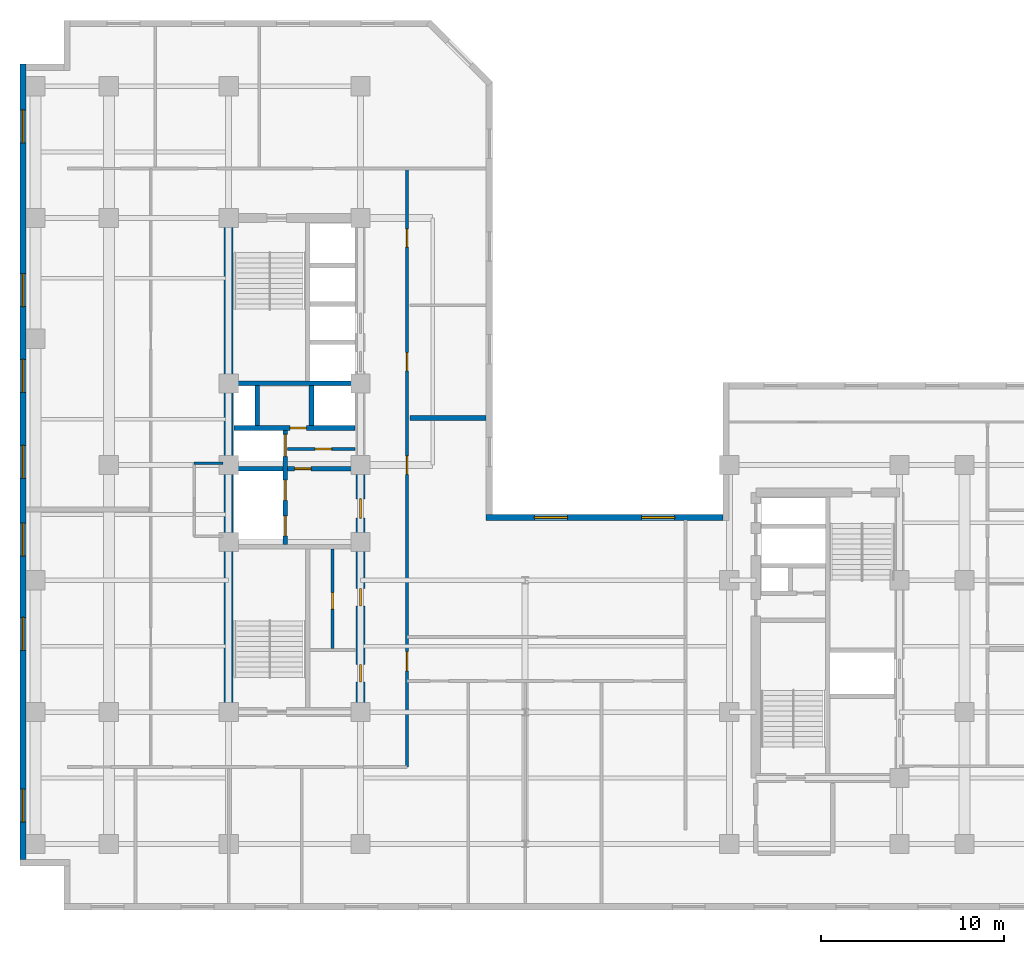
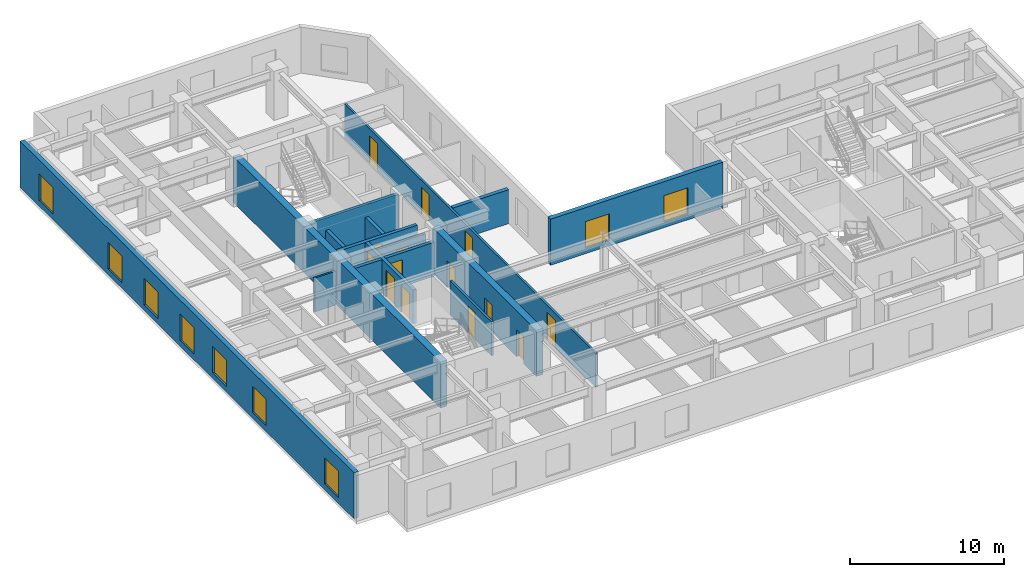
# One storey, part 4 of 10: 15 walls, 14 doors, 9 windows, 23 openings.
"""IFC4 building model written with IfcOpenShell, lengths in metres."""

from ifc_helpers import new_model, entity, si_unit, converted_unit, direction, frame, origin_with_axes, origin_2d_with_axis, place, context, subcontext, project, spatial, polyline, rectangle, outline, extrude, material, layer, layer_set, type_object, element, fill, save


model = new_model("IFC4")

# Units and contexts
model_context = context("Model", 3, precision=1e-05, world=origin_with_axes(), true_north=direction((0.0, 1.0)))
body_context = subcontext(model_context, "Body", "Model", "MODEL_VIEW")
ifc_project = project(units=[si_unit("LENGTHUNIT", "METRE"), si_unit("AREAUNIT", "SQUARE_METRE"), si_unit("VOLUMEUNIT", "CUBIC_METRE"), converted_unit("PLANEANGLEUNIT", "DEGREE", entity("IfcPlaneAngleMeasure", 0.017453292519943295), si_unit("PLANEANGLEUNIT", "RADIAN"), dimensions=[0, 0, 0, 0, 0, 0, 0]), si_unit("MASSUNIT", "GRAM", prefix="KILO"), si_unit("THERMODYNAMICTEMPERATUREUNIT", "KELVIN")], contexts=[model_context])

# Site, building, storey
site_placement = place(None, origin_with_axes())
site = spatial("IfcSite", under=ifc_project, at=site_placement, CompositionType="ELEMENT")
building_placement = place(site_placement, origin_with_axes())
building = spatial("IfcBuilding", under=site, at=building_placement, Name="Varnlund Millrace Tower", CompositionType="ELEMENT")
storey_placement = place(building_placement, frame((0.0, 0.0, 179.7), z_axis=(0.0, 0.0, 1.0), x_axis=(1.0, 0.0, 0.0)))
storey = spatial("IfcBuildingStorey", under=building, at=storey_placement, Name="L44", CompositionType="ELEMENT", Elevation=179.7)

# Wall
ifc_material_1 = material(Name="Concrete C70/85", Category="concrete")
ifc_layer_1 = layer(ifc_material_1, 0.5, Name="Concrete C70/85")
ifc_layer_set_1 = layer_set([ifc_layer_1], Name="Concrete C70/85")
wall_type_1 = type_object("IfcWallType", Name="Type-CoreWall-Shear-500-C70", PredefinedType="SHEAR", material=ifc_layer_set_1)
wall_1_placement = place(storey_placement, frame((11.4, 10.8, 0.0), z_axis=(0.0, 0.0, 1.0), x_axis=(0.0, 1.0, 0.0)))
element("IfcWall", 1, at=wall_1_placement, inside=storey, type_object=wall_type_1, Name="Type-CoreWall-Shear-500-C70", PredefinedType="SHEAR", context=body_context, shape_type="SweptSolid", body=[
    extrude(outline(polyline([(0.0, -0.25), (27.0, -0.25), (27.0, 0.25), (0.0, 0.25), (0.0, -0.25)])), origin_with_axes(), (0.0, 0.0, 1.0), 3.66),
])

# Wall, openings, doors
wall_2_placement = place(storey_placement, frame((18.6, 10.8, 0.0), z_axis=(0.0, 0.0, 1.0), x_axis=(0.0, 1.0, 0.0)))
wall_2 = element("IfcWall", 2, at=wall_2_placement, inside=storey, type_object=wall_type_1, Name="Type-CoreWall-Shear-500-C70", PredefinedType="SHEAR", context=body_context, shape_type="SweptSolid", body=[
    extrude(outline(polyline([(0.0, -0.25), (13.5, -0.25), (13.5, 0.25), (0.0, 0.25), (0.0, -0.25)])), origin_with_axes(), (0.0, 0.0, 1.0), 3.66),
])
opening_1_placement = place(wall_2_placement, frame((11.125, 0.0, 0.0), z_axis=(0.0, 0.0, 1.0), x_axis=(1.0, 0.0, 0.0)))
opening_1 = element("IfcOpeningElement", 3, at=opening_1_placement, cuts=wall_2, Name="Opening L44:DR-FFLOB-A", PredefinedType="OPENING", context=body_context, shape_type="SweptSolid", body=[
    extrude(rectangle(XDim=1.05, YDim=0.52, at=origin_2d_with_axis()), origin_with_axes(), (0.0, 0.0, 1.0), 2.15),
])
opening_2_placement = place(wall_2_placement, frame((2.125, 0.0, 0.0), z_axis=(0.0, 0.0, 1.0), x_axis=(1.0, 0.0, 0.0)))
opening_2 = element("IfcOpeningElement", 4, at=opening_2_placement, cuts=wall_2, Name="Opening L44:DR-RECL-A1-1", PredefinedType="OPENING", context=body_context, shape_type="SweptSolid", body=[
    extrude(rectangle(XDim=0.95, YDim=0.52, at=origin_2d_with_axis()), origin_with_axes(), (0.0, 0.0, 1.0), 2.15),
])
opening_3_placement = place(wall_2_placement, frame((6.275, 0.0, 0.0), z_axis=(0.0, 0.0, 1.0), x_axis=(1.0, 0.0, 0.0)))
opening_3 = element("IfcOpeningElement", 5, at=opening_3_placement, cuts=wall_2, Name="Opening L44:DR-RECL-A1-3", PredefinedType="OPENING", context=body_context, shape_type="SweptSolid", body=[
    extrude(rectangle(XDim=0.95, YDim=0.52, at=origin_2d_with_axis()), origin_with_axes(), (0.0, 0.0, 1.0), 2.15),
])
ifc_material_2 = material(Name="Smoke-barrier hollow steel fire door", Category="steel")
door_type_1 = type_object("IfcDoorType", Name="Type-FireDoor-Lobby-1050X2150", OperationType="NOTDEFINED", PredefinedType="DOOR", material=ifc_material_2)
door_1_placement = place(wall_2_placement, frame((11.125, 0.0, 0.0), z_axis=(0.0, 0.0, 1.0), x_axis=(1.0, 0.0, 0.0)))
door_1 = element("IfcDoor", 6, at=door_1_placement, inside=storey, type_object=door_type_1, Name="Type-FireDoor-Lobby-1050X2150", OperationType="SINGLE_SWING_LEFT", OverallHeight=2.15, OverallWidth=1.05, PredefinedType="DOOR", context=body_context, shape_type="SweptSolid", body=[
    extrude(rectangle(XDim=1.05, YDim=0.09, at=origin_2d_with_axis()), origin_with_axes(), (0.0, 0.0, 1.0), 2.15),
])
fill(opening_1, door_1)
ifc_material_3 = material(Name="Fire-rated hollow steel core service door", Category="steel")
door_type_2 = type_object("IfcDoorType", Name="Type-FireDoor-Service-950X2150", OperationType="NOTDEFINED", PredefinedType="DOOR", material=ifc_material_3)
door_2_placement = place(wall_2_placement, frame((2.125, 0.0, 0.0), z_axis=(0.0, 0.0, 1.0), x_axis=(1.0, 0.0, 0.0)))
door_2 = element("IfcDoor", 7, at=door_2_placement, inside=storey, type_object=door_type_2, Name="Type-FireDoor-Service-950X2150", OperationType="SINGLE_SWING_LEFT", OverallHeight=2.15, OverallWidth=0.95, PredefinedType="DOOR", context=body_context, shape_type="SweptSolid", body=[
    extrude(rectangle(XDim=0.95, YDim=0.09, at=origin_2d_with_axis()), origin_with_axes(), (0.0, 0.0, 1.0), 2.15),
])
fill(opening_2, door_2)
door_3_placement = place(wall_2_placement, frame((6.275, 0.0, 0.0), z_axis=(0.0, 0.0, 1.0), x_axis=(1.0, 0.0, 0.0)))
door_3 = element("IfcDoor", 8, at=door_3_placement, inside=storey, type_object=door_type_2, Name="Type-FireDoor-Service-950X2150", OperationType="SINGLE_SWING_RIGHT", OverallHeight=2.15, OverallWidth=0.95, PredefinedType="DOOR", context=body_context, shape_type="SweptSolid", body=[
    extrude(rectangle(XDim=0.95, YDim=0.09, at=origin_2d_with_axis()), origin_with_axes(), (0.0, 0.0, 1.0), 2.15),
])
fill(opening_3, door_3)

# Wall, openings, windows
ifc_material_4 = material(Name="Precast concrete C50/60", Category="concrete")
ifc_layer_2 = layer(ifc_material_4, 0.34, Name="Precast concrete C50/60")
ifc_layer_set_2 = layer_set([ifc_layer_2], Name="Precast concrete C50/60")
wall_type_2 = type_object("IfcWallType", Name="Type-ExtWall-Precast-Upper-340", PredefinedType="SOLIDWALL", material=ifc_layer_set_2)
wall_3_placement = place(storey_placement, frame((0.17, 2.74, 0.0), z_axis=(0.0, 0.0, 1.0), x_axis=(0.0, 1.0, 0.0)))
wall_3 = element("IfcWall", 9, at=wall_3_placement, inside=storey, type_object=wall_type_2, Name="Type-ExtWall-Precast-Upper-340", PredefinedType="SOLIDWALL", context=body_context, shape_type="SweptSolid", body=[
    extrude(outline(polyline([(0.0, -0.17), (43.46, -0.17), (43.46, 0.17), (0.0, 0.17), (0.0, -0.17)])), origin_with_axes(), (0.0, 0.0, 1.0), 3.66),
])
opening_4_placement = place(wall_3_placement, frame((2.948, 0.0, 0.45), z_axis=(0.0, 0.0, 1.0), x_axis=(1.0, 0.0, 0.0)))
opening_4 = element("IfcOpeningElement", 10, at=opening_4_placement, cuts=wall_3, Name="Opening L44:WN-16", PredefinedType="OPENING", context=body_context, shape_type="SweptSolid", body=[
    extrude(rectangle(XDim=1.8, YDim=0.36, at=origin_2d_with_axis()), origin_with_axes(), (0.0, 0.0, 1.0), 2.1),
])
opening_5_placement = place(wall_3_placement, frame((12.339, 0.0, 0.45), z_axis=(0.0, 0.0, 1.0), x_axis=(1.0, 0.0, 0.0)))
opening_5 = element("IfcOpeningElement", 11, at=opening_5_placement, cuts=wall_3, Name="Opening L44:WN-17", PredefinedType="OPENING", context=body_context, shape_type="SweptSolid", body=[
    extrude(rectangle(XDim=1.8, YDim=0.36, at=origin_2d_with_axis()), origin_with_axes(), (0.0, 0.0, 1.0), 2.1),
])
opening_6_placement = place(wall_3_placement, frame((17.484, 0.0, 0.45), z_axis=(0.0, 0.0, 1.0), x_axis=(1.0, 0.0, 0.0)))
opening_6 = element("IfcOpeningElement", 12, at=opening_6_placement, cuts=wall_3, Name="Opening L44:WN-18", PredefinedType="OPENING", context=body_context, shape_type="SweptSolid", body=[
    extrude(rectangle(XDim=1.8, YDim=0.36, at=origin_2d_with_axis()), origin_with_axes(), (0.0, 0.0, 1.0), 2.1),
])
opening_7_placement = place(wall_3_placement, frame((21.73, 0.0, 0.45), z_axis=(0.0, 0.0, 1.0), x_axis=(1.0, 0.0, 0.0)))
opening_7 = element("IfcOpeningElement", 13, at=opening_7_placement, cuts=wall_3, Name="Opening L44:WN-19", PredefinedType="OPENING", context=body_context, shape_type="SweptSolid", body=[
    extrude(rectangle(XDim=1.8, YDim=0.36, at=origin_2d_with_axis()), origin_with_axes(), (0.0, 0.0, 1.0), 2.1),
])
opening_8_placement = place(wall_3_placement, frame((26.426, 0.0, 0.45), z_axis=(0.0, 0.0, 1.0), x_axis=(1.0, 0.0, 0.0)))
opening_8 = element("IfcOpeningElement", 14, at=opening_8_placement, cuts=wall_3, Name="Opening L44:WN-20", PredefinedType="OPENING", context=body_context, shape_type="SweptSolid", body=[
    extrude(rectangle(XDim=1.8, YDim=0.36, at=origin_2d_with_axis()), origin_with_axes(), (0.0, 0.0, 1.0), 2.1),
])
opening_9_placement = place(wall_3_placement, frame((31.121, 0.0, 0.45), z_axis=(0.0, 0.0, 1.0), x_axis=(1.0, 0.0, 0.0)))
opening_9 = element("IfcOpeningElement", 15, at=opening_9_placement, cuts=wall_3, Name="Opening L44:WN-21", PredefinedType="OPENING", context=body_context, shape_type="SweptSolid", body=[
    extrude(rectangle(XDim=1.8, YDim=0.36, at=origin_2d_with_axis()), origin_with_axes(), (0.0, 0.0, 1.0), 2.1),
])
opening_10_placement = place(wall_3_placement, frame((40.062, 0.0, 0.45), z_axis=(0.0, 0.0, 1.0), x_axis=(1.0, 0.0, 0.0)))
opening_10 = element("IfcOpeningElement", 16, at=opening_10_placement, cuts=wall_3, Name="Opening L44:WN-22", PredefinedType="OPENING", context=body_context, shape_type="SweptSolid", body=[
    extrude(rectangle(XDim=1.8, YDim=0.36, at=origin_2d_with_axis()), origin_with_axes(), (0.0, 0.0, 1.0), 2.1),
])
ifc_material_5 = material(Name="Argon low-e triple glazing in thermally broken bronze frame", Category="glass")
window_type = type_object("IfcWindowType", Name="Type-Window-Punched-1800X2100", PartitioningType="SINGLE_PANEL", PredefinedType="WINDOW", material=ifc_material_5)
window_1_placement = place(wall_3_placement, frame((2.948, 0.0, 0.45), z_axis=(0.0, 0.0, 1.0), x_axis=(1.0, 0.0, 0.0)))
window_1 = element("IfcWindow", 17, at=window_1_placement, inside=storey, type_object=window_type, Name="Type-Window-Punched-1800X2100", OverallHeight=2.1, OverallWidth=1.8, PredefinedType="WINDOW", context=body_context, shape_type="SweptSolid", body=[
    extrude(rectangle(XDim=1.8, YDim=0.09, at=origin_2d_with_axis()), origin_with_axes(), (0.0, 0.0, 1.0), 2.1),
])
fill(opening_4, window_1)
window_2_placement = place(wall_3_placement, frame((12.339, 0.0, 0.45), z_axis=(0.0, 0.0, 1.0), x_axis=(1.0, 0.0, 0.0)))
window_2 = element("IfcWindow", 18, at=window_2_placement, inside=storey, type_object=window_type, Name="Type-Window-Punched-1800X2100", OverallHeight=2.1, OverallWidth=1.8, PredefinedType="WINDOW", context=body_context, shape_type="SweptSolid", body=[
    extrude(rectangle(XDim=1.8, YDim=0.09, at=origin_2d_with_axis()), origin_with_axes(), (0.0, 0.0, 1.0), 2.1),
])
fill(opening_5, window_2)
window_3_placement = place(wall_3_placement, frame((17.484, 0.0, 0.45), z_axis=(0.0, 0.0, 1.0), x_axis=(1.0, 0.0, 0.0)))
window_3 = element("IfcWindow", 19, at=window_3_placement, inside=storey, type_object=window_type, Name="Type-Window-Punched-1800X2100", OverallHeight=2.1, OverallWidth=1.8, PredefinedType="WINDOW", context=body_context, shape_type="SweptSolid", body=[
    extrude(rectangle(XDim=1.8, YDim=0.09, at=origin_2d_with_axis()), origin_with_axes(), (0.0, 0.0, 1.0), 2.1),
])
fill(opening_6, window_3)
window_4_placement = place(wall_3_placement, frame((21.73, 0.0, 0.45), z_axis=(0.0, 0.0, 1.0), x_axis=(1.0, 0.0, 0.0)))
window_4 = element("IfcWindow", 20, at=window_4_placement, inside=storey, type_object=window_type, Name="Type-Window-Punched-1800X2100", OverallHeight=2.1, OverallWidth=1.8, PredefinedType="WINDOW", context=body_context, shape_type="SweptSolid", body=[
    extrude(rectangle(XDim=1.8, YDim=0.09, at=origin_2d_with_axis()), origin_with_axes(), (0.0, 0.0, 1.0), 2.1),
])
fill(opening_7, window_4)
window_5_placement = place(wall_3_placement, frame((26.426, 0.0, 0.45), z_axis=(0.0, 0.0, 1.0), x_axis=(1.0, 0.0, 0.0)))
window_5 = element("IfcWindow", 21, at=window_5_placement, inside=storey, type_object=window_type, Name="Type-Window-Punched-1800X2100", OverallHeight=2.1, OverallWidth=1.8, PredefinedType="WINDOW", context=body_context, shape_type="SweptSolid", body=[
    extrude(rectangle(XDim=1.8, YDim=0.09, at=origin_2d_with_axis()), origin_with_axes(), (0.0, 0.0, 1.0), 2.1),
])
fill(opening_8, window_5)
window_6_placement = place(wall_3_placement, frame((31.121, 0.0, 0.45), z_axis=(0.0, 0.0, 1.0), x_axis=(1.0, 0.0, 0.0)))
window_6 = element("IfcWindow", 22, at=window_6_placement, inside=storey, type_object=window_type, Name="Type-Window-Punched-1800X2100", OverallHeight=2.1, OverallWidth=1.8, PredefinedType="WINDOW", context=body_context, shape_type="SweptSolid", body=[
    extrude(rectangle(XDim=1.8, YDim=0.09, at=origin_2d_with_axis()), origin_with_axes(), (0.0, 0.0, 1.0), 2.1),
])
fill(opening_9, window_6)
window_7_placement = place(wall_3_placement, frame((40.062, 0.0, 0.45), z_axis=(0.0, 0.0, 1.0), x_axis=(1.0, 0.0, 0.0)))
window_7 = element("IfcWindow", 23, at=window_7_placement, inside=storey, type_object=window_type, Name="Type-Window-Punched-1800X2100", OverallHeight=2.1, OverallWidth=1.8, PredefinedType="WINDOW", context=body_context, shape_type="SweptSolid", body=[
    extrude(rectangle(XDim=1.8, YDim=0.09, at=origin_2d_with_axis()), origin_with_axes(), (0.0, 0.0, 1.0), 2.1),
])
fill(opening_10, window_7)

wall_4_placement = place(storey_placement, frame((25.465, 21.43, 0.0), z_axis=(0.0, 0.0, 1.0), x_axis=(1.0, 0.0, 0.0)))
wall_4 = element("IfcWall", 24, at=wall_4_placement, inside=storey, type_object=wall_type_2, Name="Type-ExtWall-Precast-Upper-340", PredefinedType="SOLIDWALL", context=body_context, shape_type="SweptSolid", body=[
    extrude(outline(polyline([(0.0, -0.17), (12.935, -0.17), (12.935, 0.17), (0.0, 0.17), (0.0, -0.17)])), origin_with_axes(), (0.0, 0.0, 1.0), 3.66),
])
opening_11_placement = place(wall_4_placement, frame((3.534, 0.0, 0.45), z_axis=(0.0, 0.0, 1.0), x_axis=(1.0, 0.0, 0.0)))
opening_11 = element("IfcOpeningElement", 25, at=opening_11_placement, cuts=wall_4, Name="Opening L44:WN-32", PredefinedType="OPENING", context=body_context, shape_type="SweptSolid", body=[
    extrude(rectangle(XDim=1.8, YDim=0.36, at=origin_2d_with_axis()), origin_with_axes(), (0.0, 0.0, 1.0), 2.1),
])
opening_12_placement = place(wall_4_placement, frame((9.401, 0.0, 0.45), z_axis=(0.0, 0.0, 1.0), x_axis=(1.0, 0.0, 0.0)))
opening_12 = element("IfcOpeningElement", 26, at=opening_12_placement, cuts=wall_4, Name="Opening L44:WN-33", PredefinedType="OPENING", context=body_context, shape_type="SweptSolid", body=[
    extrude(rectangle(XDim=1.8, YDim=0.36, at=origin_2d_with_axis()), origin_with_axes(), (0.0, 0.0, 1.0), 2.1),
])
window_8_placement = place(wall_4_placement, frame((3.534, 0.0, 0.45), z_axis=(0.0, 0.0, 1.0), x_axis=(1.0, 0.0, 0.0)))
window_8 = element("IfcWindow", 27, at=window_8_placement, inside=storey, type_object=window_type, Name="Type-Window-Punched-1800X2100", OverallHeight=2.1, OverallWidth=1.8, PredefinedType="WINDOW", context=body_context, shape_type="SweptSolid", body=[
    extrude(rectangle(XDim=1.8, YDim=0.09, at=origin_2d_with_axis()), origin_with_axes(), (0.0, 0.0, 1.0), 2.1),
])
fill(opening_11, window_8)
window_9_placement = place(wall_4_placement, frame((9.401, 0.0, 0.45), z_axis=(0.0, 0.0, 1.0), x_axis=(1.0, 0.0, 0.0)))
window_9 = element("IfcWindow", 28, at=window_9_placement, inside=storey, type_object=window_type, Name="Type-Window-Punched-1800X2100", OverallHeight=2.1, OverallWidth=1.8, PredefinedType="WINDOW", context=body_context, shape_type="SweptSolid", body=[
    extrude(rectangle(XDim=1.8, YDim=0.09, at=origin_2d_with_axis()), origin_with_axes(), (0.0, 0.0, 1.0), 2.1),
])
fill(opening_12, window_9)

# Wall
ifc_material_6 = material(Name="Double-stud STC-60 conference acoustic partition", Category="gypsum")
ifc_layer_3 = layer(ifc_material_6, 0.28, Name="Double-stud STC-60 conference acoustic partition")
ifc_layer_set_3 = layer_set([ifc_layer_3], Name="Double-stud STC-60 conference acoustic partition")
wall_type_3 = type_object("IfcWallType", Name="Type-Partition-Acoustic-280", PredefinedType="PARTITIONING", material=ifc_layer_set_3)
wall_5_placement = place(storey_placement, frame((21.3, 26.861, 0.0), z_axis=(0.0, 0.0, 1.0), x_axis=(1.0, 0.0, 0.0)))
element("IfcWall", 29, at=wall_5_placement, inside=storey, type_object=wall_type_3, Name="Type-Partition-Acoustic-280", PredefinedType="PARTITIONING", context=body_context, shape_type="SweptSolid", body=[
    extrude(outline(polyline([(0.0, -0.14), (4.17, -0.14), (4.17, 0.14), (0.0, 0.14), (0.0, -0.14)])), origin_with_axes(), (0.0, 0.0, 1.0), 2.7),
])

# Wall, opening, door
ifc_material_7 = material(Name="Fire-rated gypsum board on cold-formed steel framing", Category="steel")
ifc_layer_4 = layer(ifc_material_7, 0.16, Name="Fire-rated gypsum board on cold-formed steel framing")
ifc_layer_set_4 = layer_set([ifc_layer_4], Name="Fire-rated gypsum board on cold-formed steel framing")
wall_type_4 = type_object("IfcWallType", Name="Type-Partition-Corridor-160", PredefinedType="PARTITIONING", material=ifc_layer_set_4)
wall_6_placement = place(storey_placement, frame((14.62, 25.18, 0.0), z_axis=(0.0, 0.0, 1.0), x_axis=(1.0, 0.0, 0.0)))
wall_6 = element("IfcWall", 30, at=wall_6_placement, inside=storey, type_object=wall_type_4, Name="Type-Partition-Corridor-160", PredefinedType="PARTITIONING", context=body_context, shape_type="SweptSolid", body=[
    extrude(outline(polyline([(0.0, -0.08), (3.68, -0.08), (3.68, 0.08), (0.0, 0.08), (0.0, -0.08)])), origin_with_axes(), (0.0, 0.0, 1.0), 2.7),
])
opening_13_placement = place(wall_6_placement, frame((1.95, 0.0, 0.0), z_axis=(0.0, 0.0, 1.0), x_axis=(1.0, 0.0, 0.0)))
opening_13 = element("IfcOpeningElement", 31, at=opening_13_placement, cuts=wall_6, Name="Opening L44:DR-CA-SUB2", PredefinedType="OPENING", context=body_context, shape_type="SweptSolid", body=[
    extrude(rectangle(XDim=0.9, YDim=0.18, at=origin_2d_with_axis()), origin_with_axes(), (0.0, 0.0, 1.0), 2.15),
])
ifc_material_8 = material(Name="Painted steel riser and closet door", Category="steel")
door_type_3 = type_object("IfcDoorType", Name="Type-IntDoor-Closet-900X2150", OperationType="NOTDEFINED", PredefinedType="DOOR", material=ifc_material_8)
door_4_placement = place(wall_6_placement, frame((1.95, 0.0, 0.0), z_axis=(0.0, 0.0, 1.0), x_axis=(1.0, 0.0, 0.0)))
door_4 = element("IfcDoor", 32, at=door_4_placement, inside=storey, type_object=door_type_3, Name="Type-IntDoor-Closet-900X2150", OperationType="SINGLE_SWING_LEFT", OverallHeight=2.15, OverallWidth=0.9, PredefinedType="DOOR", context=body_context, shape_type="SweptSolid", body=[
    extrude(rectangle(XDim=0.9, YDim=0.09, at=origin_2d_with_axis()), origin_with_axes(), (0.0, 0.0, 1.0), 2.15),
])
fill(opening_13, door_4)

wall_7_placement = place(storey_placement, frame((17.07, 14.28, 0.0), z_axis=(0.0, 0.0, 1.0), x_axis=(0.0, 1.0, 0.0)))
wall_7 = element("IfcWall", 33, at=wall_7_placement, inside=storey, type_object=wall_type_4, Name="Type-Partition-Corridor-160", PredefinedType="PARTITIONING", context=body_context, shape_type="SweptSolid", body=[
    extrude(outline(polyline([(0.0, -0.08), (5.42, -0.08), (5.42, 0.08), (0.0, 0.08), (0.0, -0.08)])), origin_with_axes(), (0.0, 0.0, 1.0), 2.7),
])
opening_14_placement = place(wall_7_placement, frame((2.6, 0.0, 0.0), z_axis=(0.0, 0.0, 1.0), x_axis=(1.0, 0.0, 0.0)))
opening_14 = element("IfcOpeningElement", 34, at=opening_14_placement, cuts=wall_7, Name="Opening L44:DR-RECL-A1-2", PredefinedType="OPENING", context=body_context, shape_type="SweptSolid", body=[
    extrude(rectangle(XDim=0.9, YDim=0.18, at=origin_2d_with_axis()), origin_with_axes(), (0.0, 0.0, 1.0), 2.15),
])
door_5_placement = place(wall_7_placement, frame((2.6, 0.0, 0.0), z_axis=(0.0, 0.0, 1.0), x_axis=(1.0, 0.0, 0.0)))
door_5 = element("IfcDoor", 35, at=door_5_placement, inside=storey, type_object=door_type_3, Name="Type-IntDoor-Closet-900X2150", OperationType="SINGLE_SWING_LEFT", OverallHeight=2.15, OverallWidth=0.9, PredefinedType="DOOR", context=body_context, shape_type="SweptSolid", body=[
    extrude(rectangle(XDim=0.9, YDim=0.09, at=origin_2d_with_axis()), origin_with_axes(), (0.0, 0.0, 1.0), 2.15),
])
fill(opening_14, door_5)

# Wall, openings, doors
wall_8_placement = place(storey_placement, frame((21.15, 7.8, 0.0), z_axis=(0.0, 0.0, 1.0), x_axis=(0.0, 1.0, 0.0)))
wall_8 = element("IfcWall", 36, at=wall_8_placement, inside=storey, type_object=wall_type_4, Name="Type-Partition-Corridor-160", PredefinedType="PARTITIONING", context=body_context, shape_type="SweptSolid", body=[
    extrude(outline(polyline([(0.0, -0.08), (32.7, -0.08), (32.7, 0.08), (0.0, 0.08), (0.0, -0.08)])), origin_with_axes(), (0.0, 0.0, 1.0), 2.7),
])
opening_15_placement = place(wall_8_placement, frame((16.4955, 0.0, 0.0), z_axis=(0.0, 0.0, 1.0), x_axis=(1.0, 0.0, 0.0)))
opening_15 = element("IfcOpeningElement", 37, at=opening_15_placement, cuts=wall_8, Name="Opening L44:DR-FLR-01", PredefinedType="OPENING", context=body_context, shape_type="SweptSolid", body=[
    extrude(rectangle(XDim=1.0, YDim=0.18, at=origin_2d_with_axis()), origin_with_axes(), (0.0, 0.0, 1.0), 2.15),
])
opening_16_placement = place(wall_8_placement, frame((22.1475, 0.0, 0.0), z_axis=(0.0, 0.0, 1.0), x_axis=(1.0, 0.0, 0.0)))
opening_16 = element("IfcOpeningElement", 38, at=opening_16_placement, cuts=wall_8, Name="Opening L44:DR-FLR-02", PredefinedType="OPENING", context=body_context, shape_type="SweptSolid", body=[
    extrude(rectangle(XDim=1.0, YDim=0.18, at=origin_2d_with_axis()), origin_with_axes(), (0.0, 0.0, 1.0), 2.15),
])
opening_17_placement = place(wall_8_placement, frame((28.902, 0.0, 0.0), z_axis=(0.0, 0.0, 1.0), x_axis=(1.0, 0.0, 0.0)))
opening_17 = element("IfcOpeningElement", 39, at=opening_17_placement, cuts=wall_8, Name="Opening L44:DR-FLR-03", PredefinedType="OPENING", context=body_context, shape_type="SweptSolid", body=[
    extrude(rectangle(XDim=1.0, YDim=0.18, at=origin_2d_with_axis()), origin_with_axes(), (0.0, 0.0, 1.0), 2.15),
])
opening_18_placement = place(wall_8_placement, frame((5.775, 0.0, 0.0), z_axis=(0.0, 0.0, 1.0), x_axis=(1.0, 0.0, 0.0)))
opening_18 = element("IfcOpeningElement", 40, at=opening_18_placement, cuts=wall_8, Name="Opening L44:DR-KN-W", PredefinedType="OPENING", context=body_context, shape_type="SweptSolid", body=[
    extrude(rectangle(XDim=1.05, YDim=0.18, at=origin_2d_with_axis()), origin_with_axes(), (0.0, 0.0, 1.0), 2.15),
])
door_6_placement = place(wall_8_placement, frame((5.775, 0.0, 0.0), z_axis=(0.0, 0.0, 1.0), x_axis=(1.0, 0.0, 0.0)))
door_6 = element("IfcDoor", 41, at=door_6_placement, inside=storey, type_object=door_type_1, Name="Type-FireDoor-Lobby-1050X2150", OperationType="SINGLE_SWING_LEFT", OverallHeight=2.15, OverallWidth=1.05, PredefinedType="DOOR", context=body_context, shape_type="SweptSolid", body=[
    extrude(rectangle(XDim=1.05, YDim=0.09, at=origin_2d_with_axis()), origin_with_axes(), (0.0, 0.0, 1.0), 2.15),
])
fill(opening_18, door_6)
ifc_material_9 = material(Name="Solid-core white oak and bronze frame door")
door_type_4 = type_object("IfcDoorType", Name="Type-IntDoor-Office-1000X2150", OperationType="NOTDEFINED", PredefinedType="DOOR", material=ifc_material_9)
door_7_placement = place(wall_8_placement, frame((16.4955, 0.0, 0.0), z_axis=(0.0, 0.0, 1.0), x_axis=(1.0, 0.0, 0.0)))
door_7 = element("IfcDoor", 42, at=door_7_placement, inside=storey, type_object=door_type_4, Name="Type-IntDoor-Office-1000X2150", OperationType="SINGLE_SWING_LEFT", OverallHeight=2.15, OverallWidth=1.0, PredefinedType="DOOR", context=body_context, shape_type="SweptSolid", body=[
    extrude(rectangle(XDim=1.0, YDim=0.09, at=origin_2d_with_axis()), origin_with_axes(), (0.0, 0.0, 1.0), 2.15),
])
fill(opening_15, door_7)
door_8_placement = place(wall_8_placement, frame((22.1475, 0.0, 0.0), z_axis=(0.0, 0.0, 1.0), x_axis=(1.0, 0.0, 0.0)))
door_8 = element("IfcDoor", 43, at=door_8_placement, inside=storey, type_object=door_type_4, Name="Type-IntDoor-Office-1000X2150", OperationType="SINGLE_SWING_RIGHT", OverallHeight=2.15, OverallWidth=1.0, PredefinedType="DOOR", context=body_context, shape_type="SweptSolid", body=[
    extrude(rectangle(XDim=1.0, YDim=0.09, at=origin_2d_with_axis()), origin_with_axes(), (0.0, 0.0, 1.0), 2.15),
])
fill(opening_16, door_8)
door_9_placement = place(wall_8_placement, frame((28.902, 0.0, 0.0), z_axis=(0.0, 0.0, 1.0), x_axis=(1.0, 0.0, 0.0)))
door_9 = element("IfcDoor", 44, at=door_9_placement, inside=storey, type_object=door_type_4, Name="Type-IntDoor-Office-1000X2150", OperationType="SINGLE_SWING_LEFT", OverallHeight=2.15, OverallWidth=1.0, PredefinedType="DOOR", context=body_context, shape_type="SweptSolid", body=[
    extrude(rectangle(XDim=1.0, YDim=0.09, at=origin_2d_with_axis()), origin_with_axes(), (0.0, 0.0, 1.0), 2.15),
])
fill(opening_17, door_9)

# Wall
ifc_material_10 = material(Name="Moisture-resistant gypsum restroom partition", Category="gypsum")
ifc_layer_5 = layer(ifc_material_10, 0.14, Name="Moisture-resistant gypsum restroom partition")
ifc_layer_set_5 = layer_set([ifc_layer_5], Name="Moisture-resistant gypsum restroom partition")
wall_type_5 = type_object("IfcWallType", Name="Type-Partition-Wet-140", PredefinedType="PARTITIONING", material=ifc_layer_set_5)
wall_9_placement = place(storey_placement, frame((9.52, 24.4, 0.0), z_axis=(0.0, 0.0, 1.0), x_axis=(1.0, 0.0, 0.0)))
element("IfcWall", 45, at=wall_9_placement, inside=storey, type_object=wall_type_5, Name="Type-Partition-Wet-140", PredefinedType="PARTITIONING", context=body_context, shape_type="SweptSolid", body=[
    extrude(outline(polyline([(0.0, -0.07), (1.58, -0.07), (1.58, 0.07), (0.0, 0.07), (0.0, -0.07)])), origin_with_axes(), (0.0, 0.0, 1.0), 2.7),
])

# Wall, openings, doors
ifc_material_11 = material(Name="Concrete C60/75", Category="concrete")
ifc_layer_6 = layer(ifc_material_11, 0.25, Name="Concrete C60/75")
ifc_layer_set_6 = layer_set([ifc_layer_6], Name="Concrete C60/75")
wall_type_6 = type_object("IfcWallType", Name="Type-ShaftWall-Fire-250", PredefinedType="SOLIDWALL", material=ifc_layer_set_6)
wall_10_placement = place(storey_placement, frame((14.5, 19.95, 0.0), z_axis=(0.0, 0.0, 1.0), x_axis=(0.0, 1.0, 0.0)))
wall_10 = element("IfcWall", 46, at=wall_10_placement, inside=storey, type_object=wall_type_6, Name="Type-ShaftWall-Fire-250", PredefinedType="SOLIDWALL", context=body_context, shape_type="SweptSolid", body=[
    extrude(outline(polyline([(0.0, -0.125), (6.25, -0.125), (6.25, 0.125), (0.0, 0.125), (0.0, -0.125)])), origin_with_axes(), (0.0, 0.0, 1.0), 2.7),
])
opening_19_placement = place(wall_10_placement, frame((1.025, 0.0, 0.0), z_axis=(0.0, 0.0, 1.0), x_axis=(1.0, 0.0, 0.0)))
opening_19 = element("IfcOpeningElement", 47, at=opening_19_placement, cuts=wall_10, Name="Opening L44:LD-FSAE1", PredefinedType="OPENING", context=body_context, shape_type="SweptSolid", body=[
    extrude(rectangle(XDim=1.1, YDim=0.27, at=origin_2d_with_axis()), origin_with_axes(), (0.0, 0.0, 1.0), 2.15),
])
opening_20_placement = place(wall_10_placement, frame((2.975, 0.0, 0.0), z_axis=(0.0, 0.0, 1.0), x_axis=(1.0, 0.0, 0.0)))
opening_20 = element("IfcOpeningElement", 48, at=opening_20_placement, cuts=wall_10, Name="Opening L44:LD-FSAE2", PredefinedType="OPENING", context=body_context, shape_type="SweptSolid", body=[
    extrude(rectangle(XDim=1.1, YDim=0.27, at=origin_2d_with_axis()), origin_with_axes(), (0.0, 0.0, 1.0), 2.15),
])
opening_21_placement = place(wall_10_placement, frame((5.425, 0.0, 0.0), z_axis=(0.0, 0.0, 1.0), x_axis=(1.0, 0.0, 0.0)))
opening_21 = element("IfcOpeningElement", 49, at=opening_21_placement, cuts=wall_10, Name="Opening L44:LD-SRV1", PredefinedType="OPENING", context=body_context, shape_type="SweptSolid", body=[
    extrude(rectangle(XDim=1.2, YDim=0.27, at=origin_2d_with_axis()), origin_with_axes(), (0.0, 0.0, 1.0), 2.15),
])
ifc_material_12 = material(Name="Stainless and architectural bronze sliding landing door")
door_type_5 = type_object("IfcDoorType", Name="Type-LiftLandingDoor-1100X2150", OperationType="NOTDEFINED", PredefinedType="DOOR", material=ifc_material_12)
door_10_placement = place(wall_10_placement, frame((1.025, 0.0, 0.0), z_axis=(0.0, 0.0, 1.0), x_axis=(1.0, 0.0, 0.0)))
door_10 = element("IfcDoor", 50, at=door_10_placement, inside=storey, type_object=door_type_5, Name="Type-LiftLandingDoor-1100X2150", OperationType="SLIDING_TO_LEFT", OverallHeight=2.15, OverallWidth=1.1, PredefinedType="DOOR", context=body_context, shape_type="SweptSolid", body=[
    extrude(rectangle(XDim=1.1, YDim=0.09, at=origin_2d_with_axis()), origin_with_axes(), (0.0, 0.0, 1.0), 2.15),
])
fill(opening_19, door_10)
door_11_placement = place(wall_10_placement, frame((2.975, 0.0, 0.0), z_axis=(0.0, 0.0, 1.0), x_axis=(1.0, 0.0, 0.0)))
door_11 = element("IfcDoor", 51, at=door_11_placement, inside=storey, type_object=door_type_5, Name="Type-LiftLandingDoor-1100X2150", OperationType="SLIDING_TO_RIGHT", OverallHeight=2.15, OverallWidth=1.1, PredefinedType="DOOR", context=body_context, shape_type="SweptSolid", body=[
    extrude(rectangle(XDim=1.1, YDim=0.09, at=origin_2d_with_axis()), origin_with_axes(), (0.0, 0.0, 1.0), 2.15),
])
fill(opening_20, door_11)
ifc_material_13 = material(Name="Heavy-duty freight sliding landing door")
door_type_6 = type_object("IfcDoorType", Name="Type-LiftLandingDoor-Service-1200X2150", OperationType="NOTDEFINED", PredefinedType="DOOR", material=ifc_material_13)
door_12_placement = place(wall_10_placement, frame((5.425, 0.0, 0.0), z_axis=(0.0, 0.0, 1.0), x_axis=(1.0, 0.0, 0.0)))
door_12 = element("IfcDoor", 52, at=door_12_placement, inside=storey, type_object=door_type_6, Name="Type-LiftLandingDoor-Service-1200X2150", OperationType="DOUBLE_DOOR_SLIDING", OverallHeight=2.15, OverallWidth=1.2, PredefinedType="DOOR", context=body_context, shape_type="SweptSolid", body=[
    extrude(rectangle(XDim=1.2, YDim=0.09, at=origin_2d_with_axis()), origin_with_axes(), (0.0, 0.0, 1.0), 2.15),
])
fill(opening_21, door_12)

# Wall, opening, door
wall_11_placement = place(storey_placement, frame((11.7, 24.1, 0.0), z_axis=(0.0, 0.0, 1.0), x_axis=(1.0, 0.0, 0.0)))
wall_11 = element("IfcWall", 53, at=wall_11_placement, inside=storey, type_object=wall_type_6, Name="Type-ShaftWall-Fire-250", PredefinedType="SOLIDWALL", context=body_context, shape_type="SweptSolid", body=[
    extrude(outline(polyline([(0.0, -0.125), (6.6, -0.125), (6.6, 0.125), (0.0, 0.125), (0.0, -0.125)])), origin_with_axes(), (0.0, 0.0, 1.0), 2.7),
])
opening_22_placement = place(wall_11_placement, frame((3.75, 0.0, 0.0), z_axis=(0.0, 0.0, 1.0), x_axis=(1.0, 0.0, 0.0)))
opening_22 = element("IfcOpeningElement", 54, at=opening_22_placement, cuts=wall_11, Name="Opening L44:DR-CA-SUB1", PredefinedType="OPENING", context=body_context, shape_type="SweptSolid", body=[
    extrude(rectangle(XDim=0.9, YDim=0.27, at=origin_2d_with_axis()), origin_with_axes(), (0.0, 0.0, 1.0), 2.15),
])
ifc_material_14 = material(Name="Fire-rated hollow steel service closet door", Category="steel")
door_type_7 = type_object("IfcDoorType", Name="Type-FireDoor-Closet-900X2150", OperationType="NOTDEFINED", PredefinedType="DOOR", material=ifc_material_14)
door_13_placement = place(wall_11_placement, frame((3.75, 0.0, 0.0), z_axis=(0.0, 0.0, 1.0), x_axis=(1.0, 0.0, 0.0)))
door_13 = element("IfcDoor", 55, at=door_13_placement, inside=storey, type_object=door_type_7, Name="Type-FireDoor-Closet-900X2150", OperationType="SINGLE_SWING_LEFT", OverallHeight=2.15, OverallWidth=0.9, PredefinedType="DOOR", context=body_context, shape_type="SweptSolid", body=[
    extrude(rectangle(XDim=0.9, YDim=0.09, at=origin_2d_with_axis()), origin_with_axes(), (0.0, 0.0, 1.0), 2.15),
])
fill(opening_22, door_13)

wall_12_placement = place(storey_placement, frame((11.7, 26.325, 0.0), z_axis=(0.0, 0.0, 1.0), x_axis=(1.0, 0.0, 0.0)))
wall_12 = element("IfcWall", 56, at=wall_12_placement, inside=storey, type_object=wall_type_6, Name="Type-ShaftWall-Fire-250", PredefinedType="SOLIDWALL", context=body_context, shape_type="SweptSolid", body=[
    extrude(outline(polyline([(0.0, -0.125), (6.6, -0.125), (6.6, 0.125), (0.0, 0.125), (0.0, -0.125)])), origin_with_axes(), (0.0, 0.0, 1.0), 2.7),
])
opening_23_placement = place(wall_12_placement, frame((3.5, 0.0, 0.0), z_axis=(0.0, 0.0, 1.0), x_axis=(1.0, 0.0, 0.0)))
opening_23 = element("IfcOpeningElement", 57, at=opening_23_placement, cuts=wall_12, Name="Opening L44:DR-CA-ELC", PredefinedType="OPENING", context=body_context, shape_type="SweptSolid", body=[
    extrude(rectangle(XDim=0.9, YDim=0.27, at=origin_2d_with_axis()), origin_with_axes(), (0.0, 0.0, 1.0), 2.15),
])
door_14_placement = place(wall_12_placement, frame((3.5, 0.0, 0.0), z_axis=(0.0, 0.0, 1.0), x_axis=(1.0, 0.0, 0.0)))
door_14 = element("IfcDoor", 58, at=door_14_placement, inside=storey, type_object=door_type_7, Name="Type-FireDoor-Closet-900X2150", OperationType="SINGLE_SWING_LEFT", OverallHeight=2.15, OverallWidth=0.9, PredefinedType="DOOR", context=body_context, shape_type="SweptSolid", body=[
    extrude(rectangle(XDim=0.9, YDim=0.09, at=origin_2d_with_axis()), origin_with_axes(), (0.0, 0.0, 1.0), 2.15),
])
fill(opening_23, door_14)

# Walls
for number, where, z_axis, x_axis, name in (
    (59, (12.96, 26.45, 0.0), (0.0, 0.0, 1.0), (0.0, 1.0, 0.0), "Type-ShaftWall-Fire-250"),
    (60, (15.925, 26.45, 0.0), (0.0, 0.0, 1.0), (0.0, 1.0, 0.0), "Type-ShaftWall-Fire-250"),
):
    element("IfcWall", number, at=place(storey_placement, frame(where, z_axis=z_axis, x_axis=x_axis)), inside=storey, type_object=wall_type_6, Name=name, PredefinedType="SOLIDWALL", context=body_context, shape_type="SweptSolid", body=[
        extrude(outline(polyline([(0.0, -0.125), (2.2, -0.125), (2.2, 0.125), (0.0, 0.125), (0.0, -0.125)])), origin_with_axes(), (0.0, 0.0, 1.0), 2.7),
    ])
wall_type_7 = type_object("IfcWallType", Name="Type-StairWall-Shear-250", PredefinedType="SHEAR", material=ifc_layer_set_6)
wall_13_placement = place(storey_placement, frame((11.65, 28.775, 0.0), z_axis=(0.0, 0.0, 1.0), x_axis=(1.0, 0.0, 0.0)))
element("IfcWall", 61, at=wall_13_placement, inside=storey, type_object=wall_type_7, Name="Type-StairWall-Shear-250", PredefinedType="SHEAR", context=body_context, shape_type="SweptSolid", body=[
    extrude(outline(polyline([(0.0, -0.125), (6.7, -0.125), (6.7, 0.125), (0.0, 0.125), (0.0, -0.125)])), origin_with_axes(), (0.0, 0.0, 1.0), 3.66),
])

save(model, "model.ifc")
